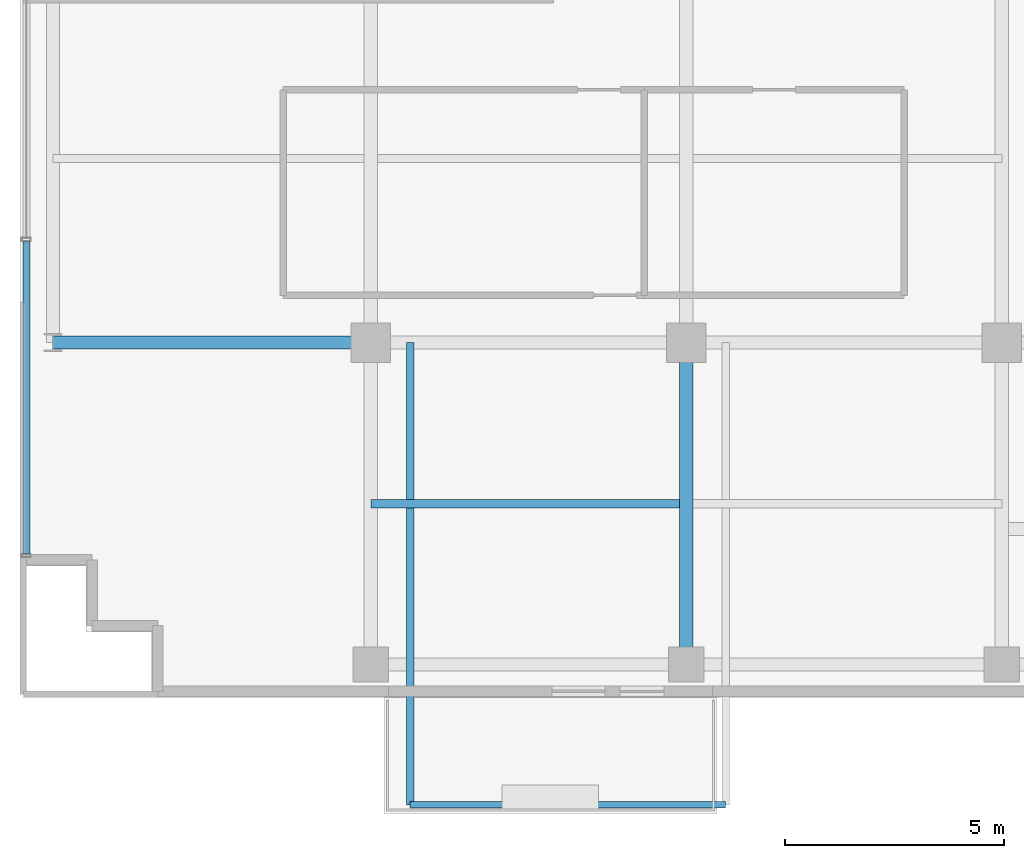
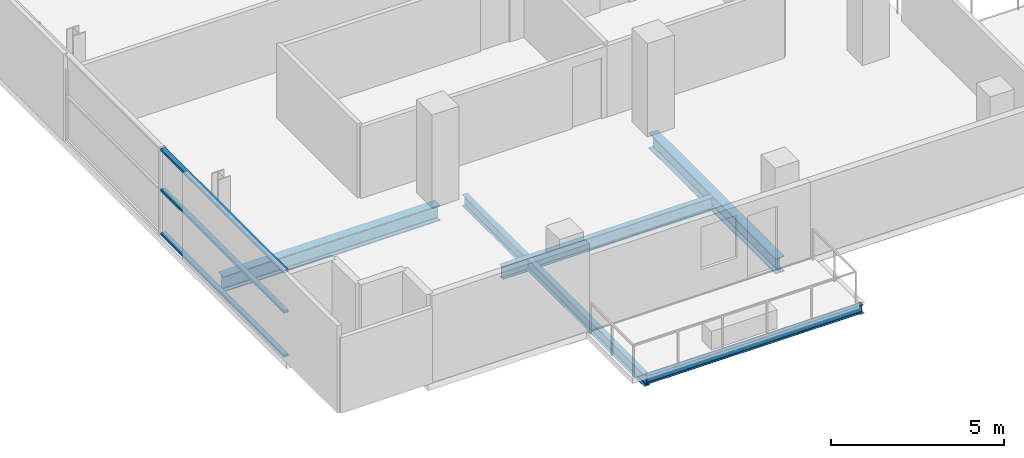
# One storey, part 3 of 25: 5 beams, 3 members, 1 element without a shape of its own.
"""IFC4 building model written with IfcOpenShell, lengths in metres."""

from ifc_helpers import new_model, si_unit, direction, frame, origin, origin_2d, place, context, subcontext, project, spatial, hollow_rectangle, i_section, extrude, source, transform, mapped, material, layer, layer_set, material_profile, profile_set, type_object, element, aggregate, save


model = new_model("IFC4")

# Units and contexts
model_context = context("Model", 3, precision=1e-05, world=origin(), true_north=direction((0.0, 1.0)))
body_context = subcontext(model_context, "Body", "Model", "MODEL_VIEW")
ifc_project = project(units=[si_unit("LENGTHUNIT", "METRE"), si_unit("AREAUNIT", "SQUARE_METRE"), si_unit("VOLUMEUNIT", "CUBIC_METRE"), si_unit("PLANEANGLEUNIT", "RADIAN"), si_unit("MASSUNIT", "GRAM", prefix="KILO")], contexts=[model_context])

# Site, building, storey
site_placement = place(None, origin())
site = spatial("IfcSite", under=ifc_project, at=site_placement, CompositionType="ELEMENT")
building_placement = place(site_placement, origin())
building = spatial("IfcBuilding", under=site, at=building_placement, Name="Zarnakvel Exchange Tower", CompositionType="ELEMENT")
storey_placement = place(building_placement, frame((0.0, 0.0, 100.0)))
storey = spatial("IfcBuildingStorey", under=building, at=storey_placement, Name="L27", CompositionType="ELEMENT", Elevation=100.0)

# Beams
ifc_material_1 = material(Name="Steel S355", Category="steel")
ifc_material_profile_1 = material_profile(ifc_material_1, i_section(OverallWidth=0.18994140625, OverallDepth=0.449951171875, WebThickness=0.009521484375, FlangeThickness=0.0146484375, FilletRadius=0.02099609375, at=origin_2d()))
ifc_profile_set_1 = profile_set([ifc_material_profile_1], Name="Steel S355")
beam_type_1 = type_object("IfcBeamType", Name="B-05", PredefinedType="JOIST", material=ifc_profile_set_1)
beam_1_placement = place(storey_placement, frame((-21.60009765625, -13.27490234375, -0.449951171875), z_axis=(1.0, 0.0, 0.0), x_axis=(0.0, 1.0, 0.0)))
element("IfcBeam", 1, at=beam_1_placement, inside=storey, type_object=beam_type_1, Name="L27 Composite Floor Secondary Joist", PredefinedType="JOIST", context=body_context, shape_type="SweptSolid", body=[
    extrude(i_section(OverallWidth=0.18994140625, OverallDepth=0.449951171875, WebThickness=0.009521484375, FlangeThickness=0.0146484375, FilletRadius=0.02099609375, at=origin_2d()), origin(), (0.0, 0.0, 1.0), 7.050048828125),
])
ifc_material_profile_2 = material_profile(ifc_material_1, i_section(OverallWidth=0.179931640625, OverallDepth=0.39990234375, WebThickness=0.008544921875, FlangeThickness=0.013427734375, FilletRadius=0.02099609375, at=origin_2d()))
ifc_profile_set_2 = profile_set([ifc_material_profile_2], Name="Steel S355")
beam_type_2 = type_object("IfcBeamType", Name="B-06", PredefinedType="JOIST", material=ifc_profile_set_2)
beam_2_placement = place(storey_placement, frame((-20.699951171875, -9.60009765625, -0.425048828125), z_axis=(0.0, -1.0, 0.0), x_axis=(1.0, 0.0, 0.0)))
element("IfcBeam", 2, at=beam_2_placement, inside=storey, type_object=beam_type_2, Name="L27 Continuous Back-Spanned Balcony Beam W", PredefinedType="JOIST", context=body_context, shape_type="SweptSolid", body=[
    extrude(i_section(OverallWidth=0.179931640625, OverallDepth=0.39990234375, WebThickness=0.008544921875, FlangeThickness=0.013427734375, FilletRadius=0.02099609375, at=origin_2d()), origin(), (0.0, 0.0, 1.0), 10.5498046875),
])
ifc_material_profile_3 = material_profile(ifc_material_1, i_section(OverallWidth=0.14990234375, OverallDepth=0.300048828125, WebThickness=0.007080078125, FlangeThickness=0.0107421875, FilletRadius=0.014892578125, at=origin_2d()))
ifc_profile_set_3 = profile_set([ifc_material_profile_3], Name="Steel S355")
beam_type_3 = type_object("IfcBeamType", Name="B-08", PredefinedType="JOIST", material=ifc_profile_set_3)
beam_3_placement = place(storey_placement, frame((-20.699951171875, -20.14990234375, -0.375), z_axis=(1.0, 0.0, 0.0), x_axis=(0.0, 1.0, 0.0)))
element("IfcBeam", 3, at=beam_3_placement, inside=storey, type_object=beam_type_3, Name="L27 Balcony Edge Beam", PredefinedType="JOIST", context=body_context, shape_type="SweptSolid", body=[
    extrude(i_section(OverallWidth=0.14990234375, OverallDepth=0.300048828125, WebThickness=0.007080078125, FlangeThickness=0.0107421875, FilletRadius=0.014892578125, at=origin_2d()), origin(), (0.0, 0.0, 1.0), 7.199951171875),
])
ifc_material_profile_4 = material_profile(ifc_material_1, i_section(OverallWidth=0.300048828125, OverallDepth=0.550048828125, WebThickness=0.014892578125, FlangeThickness=0.029052734375, FilletRadius=0.027099609375, at=origin_2d()))
ifc_profile_set_4 = profile_set([ifc_material_profile_4], Name="Steel S355")
beam_type_4 = type_object("IfcBeamType", Name="G-05", PredefinedType="BEAM", material=ifc_profile_set_4)
beam_4_placement = place(storey_placement, frame((-28.85009765625, -9.60009765625, -0.5), z_axis=(1.0, 0.0, 0.0), x_axis=(0.0, 1.0, 0.0)))
element("IfcBeam", 4, at=beam_4_placement, inside=storey, type_object=beam_type_4, Name="L27 Tower E-W Frame Beam", PredefinedType="BEAM", context=body_context, shape_type="SweptSolid", body=[
    extrude(i_section(OverallWidth=0.300048828125, OverallDepth=0.550048828125, WebThickness=0.014892578125, FlangeThickness=0.029052734375, FilletRadius=0.027099609375, at=origin_2d()), origin(), (0.0, 0.0, 1.0), 7.25),
])
beam_5_placement = place(storey_placement, frame((-14.39990234375, -16.949951171875, -0.5), z_axis=(0.0, 1.0, 0.0), x_axis=(-1.0, 0.0, 0.0)))
element("IfcBeam", 5, at=beam_5_placement, inside=storey, type_object=beam_type_4, Name="L27 Tower N-S Frame Beam", PredefinedType="BEAM", context=body_context, shape_type="SweptSolid", body=[
    extrude(i_section(OverallWidth=0.300048828125, OverallDepth=0.550048828125, WebThickness=0.014892578125, FlangeThickness=0.029052734375, FilletRadius=0.027099609375, at=origin_2d()), origin(), (0.0, 0.0, 1.0), 7.349853515625),
])

# Curtain wall, members
ifc_material_2 = material(Name="Architectural Bronze Anodised Aluminium", Category="aluminium")
ifc_layer = layer(ifc_material_2, 0.199951171875)
ifc_layer_set = layer_set([ifc_layer], Name="Architectural Bronze Anodised Aluminium")
curtain_wall_type = type_object("IfcCurtainWallType", Name="CW-04", PredefinedType="NOTDEFINED", material=ifc_layer_set)
curtain_wall_placement = place(storey_placement, origin())
curtain_wall = element("IfcCurtainWall", 6, at=curtain_wall_placement, inside=storey, type_object=curtain_wall_type, Name="L27 Curtain Wall CW-L27-W1 (CW-04)", PredefinedType="NOTDEFINED")
ifc_material_profile_5 = material_profile(ifc_material_2, hollow_rectangle(XDim=0.159912109375, YDim=0.074951171875, WallThickness=0.00390625, at=origin_2d()))
ifc_profile_set_5 = profile_set([ifc_material_profile_5], Name="Architectural Bronze Anodised Aluminium")
member_type = type_object("IfcMemberType", Name="CWT-04", PredefinedType="USERDEFINED", material=ifc_profile_set_5)
shared_shape = source(origin(), body_context, "Body", "SweptSolid", [
    extrude(hollow_rectangle(XDim=0.159912109375, YDim=0.074951171875, WallThickness=0.00390625, at=origin_2d()), origin(), (0.0, 0.0, 1.0), 7.137451171875),
])
member_1_placement = place(storey_placement, frame((-29.4599609375, -14.425048828125, 0.03759765625), z_axis=(0.0, 1.0, 0.0), x_axis=(-1.0, 0.0, 0.0)))
member_1 = element("IfcMember", 7, at=member_1_placement, type_object=member_type, Name="CW-04 transom 1.1", ObjectType="TRANSOM", PredefinedType="USERDEFINED", context=body_context, shape_type="MappedRepresentation", body=[
    mapped(shared_shape, transform((0.0, 0.0, 0.0), x_axis=(1.0, 0.0, 0.0), y_axis=(0.0, 1.0, 0.0), z_axis=(0.0, 0.0, 1.0), scale=1.0)),
])
member_2_placement = place(storey_placement, frame((-29.4599609375, -14.425048828125, 1.588623046875), z_axis=(0.0, 1.0, 0.0), x_axis=(-1.0, 0.0, 0.0)))
member_2 = element("IfcMember", 8, at=member_2_placement, type_object=member_type, Name="CW-04 transom 1.2", ObjectType="TRANSOM", PredefinedType="USERDEFINED", context=body_context, shape_type="MappedRepresentation", body=[
    mapped(shared_shape, transform((0.0, 0.0, 0.0), x_axis=(1.0, 0.0, 0.0), y_axis=(0.0, 1.0, 0.0), z_axis=(0.0, 0.0, 1.0), scale=1.0)),
])
member_3_placement = place(storey_placement, frame((-29.4599609375, -14.425048828125, 3.017578125), z_axis=(0.0, 1.0, 0.0), x_axis=(-1.0, 0.0, 0.0)))
member_3 = element("IfcMember", 9, at=member_3_placement, type_object=member_type, Name="CW-04 transom 1.3", ObjectType="TRANSOM", PredefinedType="USERDEFINED", context=body_context, shape_type="MappedRepresentation", body=[
    mapped(shared_shape, transform((0.0, 0.0, 0.0), x_axis=(1.0, 0.0, 0.0), y_axis=(0.0, 1.0, 0.0), z_axis=(0.0, 0.0, 1.0), scale=1.0)),
])
aggregate(curtain_wall, [member_1, member_2, member_3])

save(model, "model.ifc")
